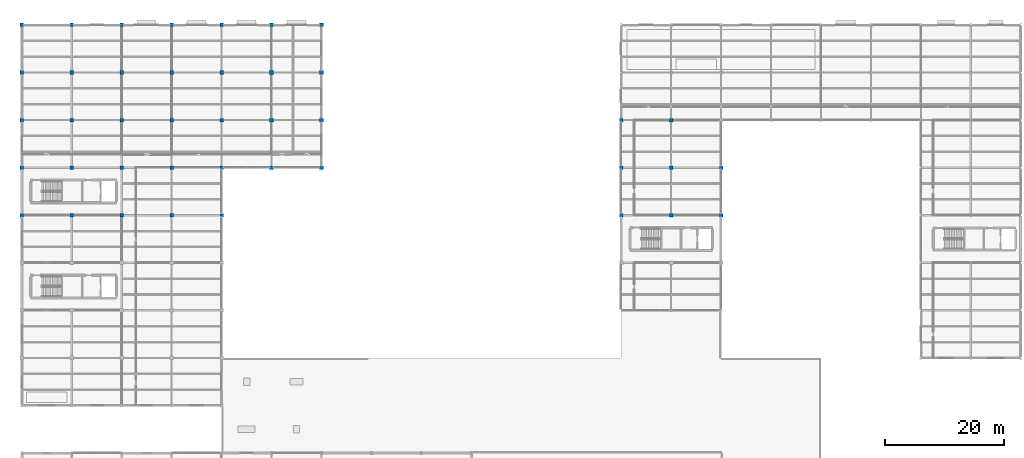
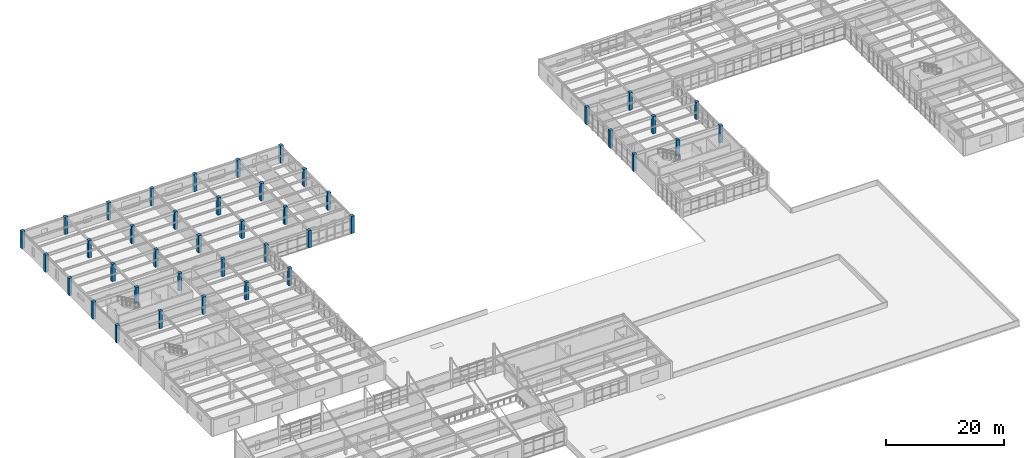
# One storey, part 6 of 96: 41 columns.
"""IFC4 building model written with IfcOpenShell, lengths in metres."""

from ifc_helpers import new_model, si_unit, direction, frame, origin, origin_2d, place, context, subcontext, project, spatial, rectangle, extrude, material, material_profile, profile_set, type_object, element, save


model = new_model("IFC4")

# Units and contexts
model_context = context("Model", 3, precision=1e-05, world=origin(), true_north=direction((0.0, 1.0)))
body_context = subcontext(model_context, "Body", "Model", "MODEL_VIEW")
ifc_project = project(units=[si_unit("LENGTHUNIT", "METRE"), si_unit("AREAUNIT", "SQUARE_METRE"), si_unit("VOLUMEUNIT", "CUBIC_METRE"), si_unit("PLANEANGLEUNIT", "RADIAN"), si_unit("MASSUNIT", "GRAM", prefix="KILO")], contexts=[model_context])

# Site, building, storey
site_placement = place(None, origin())
site = spatial("IfcSite", under=ifc_project, at=site_placement, CompositionType="ELEMENT")
building_placement = place(site_placement, origin())
building = spatial("IfcBuilding", under=site, at=building_placement, Name="Kranzveld Transit Interchange", CompositionType="ELEMENT")
storey_placement = place(building_placement, frame((0.0, 0.0, 9.52001953125)))
storey = spatial("IfcBuildingStorey", under=building, at=storey_placement, Name="L02", CompositionType="ELEMENT", Elevation=9.52001953125)

# Columns
ifc_material = material(Name="Concrete C35/45", Category="concrete")
ifc_material_profile = material_profile(ifc_material, rectangle(XDim=0.60009765625, YDim=0.60009765625, at=origin_2d()), Name="RC 600x600")
ifc_profile_set = profile_set([ifc_material_profile], Name="Concrete C35/45")
column_type = type_object("IfcColumnType", Name="Column RC 600x600 C35/45", PredefinedType="COLUMN", material=ifc_profile_set)
for number, where, z_axis, x_axis, name in (
    (1, (0.0, 80.0, 0.0), (0.0, 0.0, 1.0), (1.0, 0.0, 0.0), "L02 Column 01/L"),
    (2, (0.0, 88.0, 0.0), (0.0, 0.0, 1.0), (1.0, 0.0, 0.0), "L02 Column 01/M"),
    (3, (0.0, 96.0, 0.0), (0.0, 0.0, 1.0), (1.0, 0.0, 0.0), "L02 Column 01/N"),
    (4, (0.0, 104.0, 0.0), (0.0, 0.0, 1.0), (1.0, 0.0, 0.0), "L02 Column 01/P"),
    (5, (0.0, 112.0, 0.0), (0.0, 0.0, 1.0), (1.0, 0.0, 0.0), "L02 Column 01/Q"),
    (6, (8.39990234375, 80.0, 0.0), (0.0, 0.0, 1.0), (1.0, 0.0, 0.0), "L02 Column 02/L"),
    (7, (8.39990234375, 88.0, 0.0), (0.0, 0.0, 1.0), (1.0, 0.0, 0.0), "L02 Column 02/M"),
    (8, (8.39990234375, 96.0, 0.0), (0.0, 0.0, 1.0), (1.0, 0.0, 0.0), "L02 Column 02/N"),
    (9, (8.39990234375, 104.0, 0.0), (0.0, 0.0, 1.0), (1.0, 0.0, 0.0), "L02 Column 02/P"),
    (10, (8.39990234375, 112.0, 0.0), (0.0, 0.0, 1.0), (1.0, 0.0, 0.0), "L02 Column 02/Q"),
    (11, (16.800048828125, 80.0, 0.0), (0.0, 0.0, 1.0), (1.0, 0.0, 0.0), "L02 Column 03/L"),
    (12, (16.800048828125, 88.0, 0.0), (0.0, 0.0, 1.0), (1.0, 0.0, 0.0), "L02 Column 03/M"),
    (13, (16.800048828125, 96.0, 0.0), (0.0, 0.0, 1.0), (1.0, 0.0, 0.0), "L02 Column 03/N"),
    (14, (16.800048828125, 104.0, 0.0), (0.0, 0.0, 1.0), (1.0, 0.0, 0.0), "L02 Column 03/P"),
    (15, (16.800048828125, 112.0, 0.0), (0.0, 0.0, 1.0), (1.0, 0.0, 0.0), "L02 Column 03/Q"),
    (16, (25.199951171875, 80.0, 0.0), (0.0, 0.0, 1.0), (1.0, 0.0, 0.0), "L02 Column 04/L"),
    (17, (25.199951171875, 88.0, 0.0), (0.0, 0.0, 1.0), (1.0, 0.0, 0.0), "L02 Column 04/M"),
    (18, (25.199951171875, 96.0, 0.0), (0.0, 0.0, 1.0), (1.0, 0.0, 0.0), "L02 Column 04/N"),
    (19, (25.199951171875, 104.0, 0.0), (0.0, 0.0, 1.0), (1.0, 0.0, 0.0), "L02 Column 04/P"),
    (20, (25.199951171875, 112.0, 0.0), (0.0, 0.0, 1.0), (1.0, 0.0, 0.0), "L02 Column 04/Q"),
    (21, (33.60009765625, 80.0, 0.0), (0.0, 0.0, 1.0), (1.0, 0.0, 0.0), "L02 Column 05/L"),
    (22, (33.60009765625, 88.0, 0.0), (0.0, 0.0, 1.0), (1.0, 0.0, 0.0), "L02 Column 05/M"),
    (23, (33.60009765625, 96.0, 0.0), (0.0, 0.0, 1.0), (1.0, 0.0, 0.0), "L02 Column 05/N"),
    (24, (33.60009765625, 104.0, 0.0), (0.0, 0.0, 1.0), (1.0, 0.0, 0.0), "L02 Column 05/P"),
    (25, (33.60009765625, 112.0, 0.0), (0.0, 0.0, 1.0), (1.0, 0.0, 0.0), "L02 Column 05/Q"),
    (26, (42.0, 88.0, 0.0), (0.0, 0.0, 1.0), (1.0, 0.0, 0.0), "L02 Column 06/M"),
    (27, (42.0, 96.0, 0.0), (0.0, 0.0, 1.0), (1.0, 0.0, 0.0), "L02 Column 06/N"),
    (28, (42.0, 104.0, 0.0), (0.0, 0.0, 1.0), (1.0, 0.0, 0.0), "L02 Column 06/P"),
    (29, (42.0, 112.0, 0.0), (0.0, 0.0, 1.0), (1.0, 0.0, 0.0), "L02 Column 06/Q"),
    (30, (50.39990234375, 88.0, 0.0), (0.0, 0.0, 1.0), (1.0, 0.0, 0.0), "L02 Column 07/M"),
    (31, (50.39990234375, 96.0, 0.0), (0.0, 0.0, 1.0), (1.0, 0.0, 0.0), "L02 Column 07/N"),
    (32, (50.39990234375, 104.0, 0.0), (0.0, 0.0, 1.0), (1.0, 0.0, 0.0), "L02 Column 07/P"),
    (33, (50.39990234375, 112.0, 0.0), (0.0, 0.0, 1.0), (1.0, 0.0, 0.0), "L02 Column 07/Q"),
    (34, (100.800048828125, 80.0, 0.0), (0.0, 0.0, 1.0), (1.0, 0.0, 0.0), "L02 Column 13/L"),
    (35, (100.800048828125, 88.0, 0.0), (0.0, 0.0, 1.0), (1.0, 0.0, 0.0), "L02 Column 13/M"),
    (36, (100.800048828125, 96.0, 0.0), (0.0, 0.0, 1.0), (1.0, 0.0, 0.0), "L02 Column 13/N"),
    (37, (109.199951171875, 80.0, 0.0), (0.0, 0.0, 1.0), (1.0, 0.0, 0.0), "L02 Column 14/L"),
    (38, (109.199951171875, 88.0, 0.0), (0.0, 0.0, 1.0), (1.0, 0.0, 0.0), "L02 Column 14/M"),
    (39, (109.199951171875, 96.0, 0.0), (0.0, 0.0, 1.0), (1.0, 0.0, 0.0), "L02 Column 14/N"),
    (40, (117.60009765625, 80.0, 0.0), (0.0, 0.0, 1.0), (1.0, 0.0, 0.0), "L02 Column 15/L"),
    (41, (117.60009765625, 88.0, 0.0), (0.0, 0.0, 1.0), (1.0, 0.0, 0.0), "L02 Column 15/M"),
):
    element("IfcColumn", number, at=place(storey_placement, frame(where, z_axis=z_axis, x_axis=x_axis)), inside=storey, type_object=column_type, Name=name, PredefinedType="COLUMN", context=body_context, shape_type="SweptSolid", body=[
        extrude(rectangle(XDim=0.60009765625, YDim=0.60009765625, at=origin_2d()), origin(), (0.0, 0.0, 1.0), 3.570068359375),
    ])

save(model, "model.ifc")
